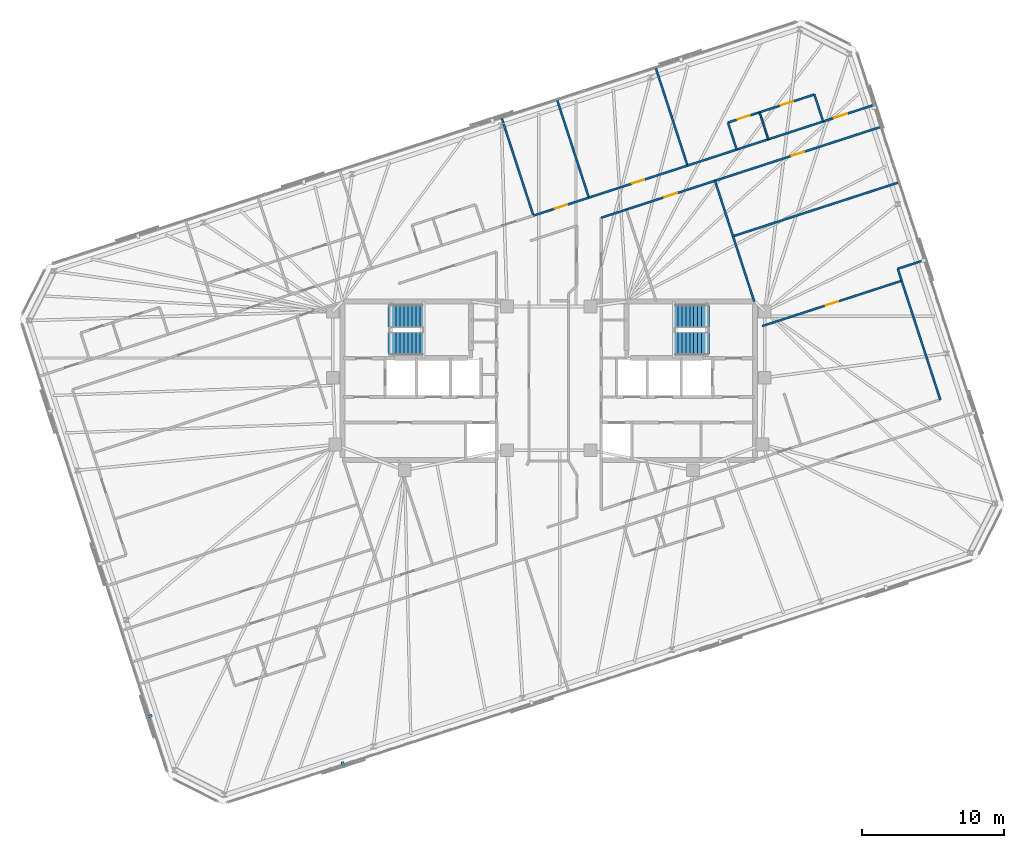
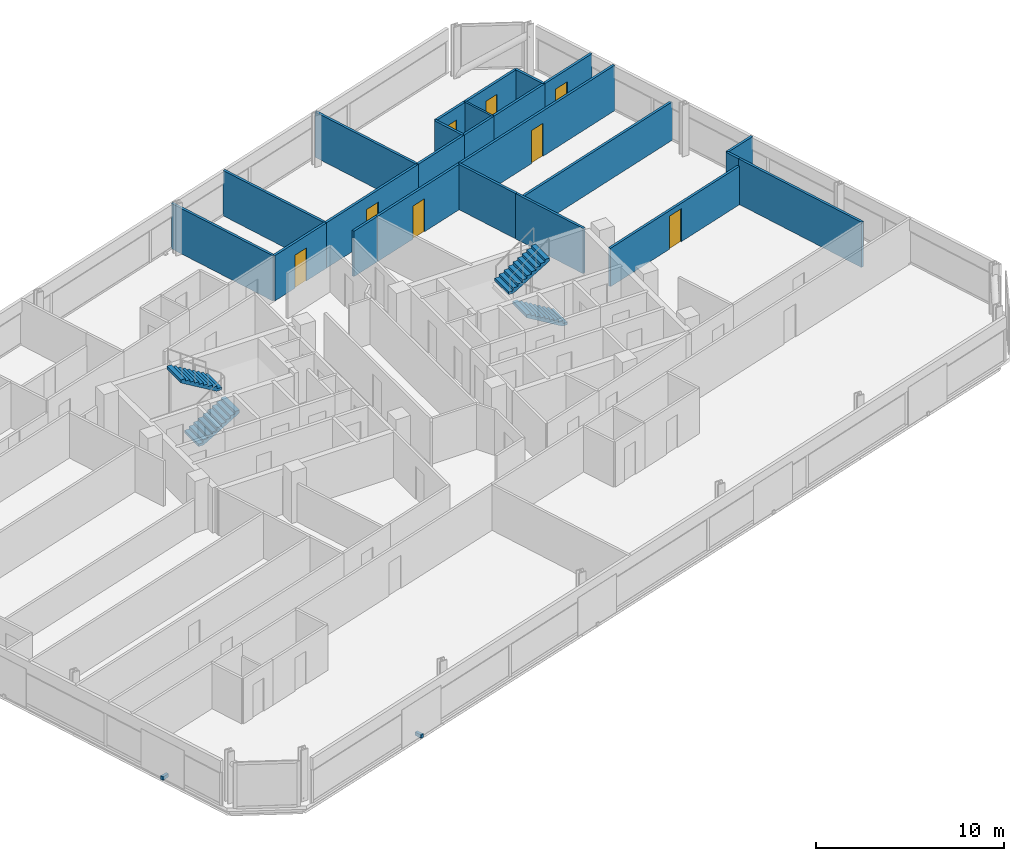
# One storey, part 17 of 19: 24 walls, 8 doors, 4 stair flights, 2 discrete accessories, 8 openings, 2 elements without a shape of their own.
"""IFC4 building model written with IfcOpenShell, lengths in metres."""

from ifc_helpers import new_model, si_unit, direction, frame, frame_2d, origin, origin_2d, place, context, subcontext, project, spatial, polyline, rectangle, outline, extrude, material, layer, layer_set, type_object, element, fill, aggregate, save


model = new_model("IFC4")

# Units and contexts
model_context = context("Model", 3, precision=1e-05, world=origin(), true_north=direction((0.0, 1.0)))
body_context = subcontext(model_context, "Body", "Model", "MODEL_VIEW")
ifc_project = project(units=[si_unit("LENGTHUNIT", "METRE"), si_unit("AREAUNIT", "SQUARE_METRE"), si_unit("VOLUMEUNIT", "CUBIC_METRE"), si_unit("PLANEANGLEUNIT", "RADIAN"), si_unit("MASSUNIT", "GRAM", prefix="KILO")], contexts=[model_context])

# Site, building, storey
site_placement = place(None, origin())
site = spatial("IfcSite", under=ifc_project, at=site_placement, CompositionType="ELEMENT")
building_placement = place(site_placement, origin())
building = spatial("IfcBuilding", under=site, at=building_placement, Name="Menara Jurai Vektor", CompositionType="ELEMENT")
storey_placement = place(building_placement, frame((0.0, 0.0, 251.10009765625)))
storey = spatial("IfcBuildingStorey", under=building, at=storey_placement, Name="L67", CompositionType="ELEMENT", Elevation=251.10009765625)

# Wall
ifc_material_1 = material(Name="Gypsum Fireboard Partition", Category="gypsum")
ifc_layer_1 = layer(ifc_material_1, 0.14990234375)
ifc_layer_set_1 = layer_set([ifc_layer_1], Name="Gypsum Fireboard Partition")
wall_type_1 = type_object("IfcWallType", Name="INT-WALL-CORR-150", PredefinedType="PARTITIONING", material=ifc_layer_set_1)
wall_1_placement = place(storey_placement, frame((9.790771484375, 15.1962890625, 0.0), z_axis=(0.0, 0.0, 1.0), x_axis=(0.951050780541, 0.309034646652, 0.0)))
element("IfcWall", 1, at=wall_1_placement, inside=storey, type_object=wall_type_1, Name="Interior Wall IW-150 L67", PredefinedType="PARTITIONING", context=body_context, shape_type="SweptSolid", body=[
    extrude(rectangle(XDim=3.64990234375, YDim=0.14990234375, at=frame_2d((1.824951171875, 0.0))), origin(), (0.0, 0.0, 1.0), 2.949951171875),
])

# Wall, opening, door
wall_2_placement = place(storey_placement, frame((19.367919921875, 18.30810546875, 0.0), z_axis=(0.0, 0.0, 1.0), x_axis=(0.951052151329, 0.309030428036, 0.0)))
wall_2 = element("IfcWall", 2, at=wall_2_placement, inside=storey, type_object=wall_type_1, Name="Interior Wall IW-150 L67", PredefinedType="PARTITIONING", context=body_context, shape_type="SweptSolid", body=[
    extrude(rectangle(XDim=3.77001953125, YDim=0.14990234375, at=frame_2d((1.885009765625, 0.0))), origin(), (0.0, 0.0, 1.0), 2.949951171875),
])
opening_1_placement = place(wall_2_placement, frame((0.844482421875, 0.0, 0.0)))
opening_1 = element("IfcOpeningElement", 3, at=opening_1_placement, cuts=wall_2, Name="Opening D67-16", PredefinedType="OPENING", context=body_context, shape_type="SweptSolid", body=[
    extrude(rectangle(XDim=0.949951171875, YDim=2.14990234375, at=frame_2d((0.47509765625, 1.074951171875))), frame((0.0, 0.0849609375, 0.0), z_axis=(0.0, -1.0, 0.0), x_axis=(1.0, 0.0, 0.0)), (0.0, 0.0, 1.0), 0.169921875),
])
ifc_material_2 = material(Name="Solid Core Timber Fire Door", Category="wood")
door_type_1 = type_object("IfcDoorType", Name="DR-ENTRY-950", OperationType="NOTDEFINED", PredefinedType="DOOR", material=ifc_material_2)
door_1_placement = place(opening_1_placement, origin())
door_1 = element("IfcDoor", 4, at=door_1_placement, inside=storey, type_object=door_type_1, Name="Interior Door D67-16", OperationType="SINGLE_SWING_RIGHT", OverallHeight=2.14990234375, OverallWidth=0.949951171875, PredefinedType="DOOR", context=body_context, shape_type="SweptSolid", body=[
    extrude(rectangle(XDim=0.949951171875, YDim=2.14990234375, at=frame_2d((0.47509765625, 1.074951171875))), frame((0.0, 0.02490234375, 0.0), z_axis=(0.0, -1.0, 0.0), x_axis=(1.0, 0.0, 0.0)), (0.0, 0.0, 1.0), 0.050048828125),
])
fill(opening_1, door_1)

# Walls
wall_3_placement = place(storey_placement, frame((13.261962890625, 16.32421875, 0.0), z_axis=(0.0, 0.0, 1.0), x_axis=(0.951045519245, 0.309050837767, 0.0)))
element("IfcWall", 5, at=wall_3_placement, inside=storey, type_object=wall_type_1, Name="Interior Wall IW-150 L67", PredefinedType="PARTITIONING", context=body_context, shape_type="SweptSolid", body=[
    extrude(rectangle(XDim=2.35009765625, YDim=0.14990234375, at=frame_2d((1.175048828125, 0.0))), origin(), (0.0, 0.0, 1.0), 2.949951171875),
])
wall_4_placement = place(storey_placement, frame((15.4970703125, 17.050537109375, 0.0), z_axis=(0.0, 0.0, 1.0), x_axis=(0.951067124726, 0.308984343076, 0.0)))
element("IfcWall", 6, at=wall_4_placement, inside=storey, type_object=wall_type_1, Name="Interior Wall IW-150 L67", PredefinedType="PARTITIONING", context=body_context, shape_type="SweptSolid", body=[
    extrude(rectangle(XDim=4.070068359375, YDim=0.14990234375, at=frame_2d((2.03515625, 0.0))), origin(), (0.0, 0.0, 1.0), 2.949951171875),
])
wall_5_placement = place(storey_placement, frame((3.699462890625, 11.513916015625, 0.0), z_axis=(0.0, 0.0, 1.0), x_axis=(0.951069540665, 0.308976906612, 0.0)))
element("IfcWall", 7, at=wall_5_placement, inside=storey, type_object=wall_type_1, Name="Interior Wall IW-150 L67", PredefinedType="PARTITIONING", context=body_context, shape_type="SweptSolid", body=[
    extrude(rectangle(XDim=1.87109375, YDim=0.14990234375, at=frame_2d((0.935546875, 0.0))), origin(), (0.0, 0.0, 1.0), 2.949951171875),
])

# Wall, opening, door
wall_6_placement = place(storey_placement, frame((5.47900390625, 12.092041015625, 0.0), z_axis=(0.0, 0.0, 1.0), x_axis=(0.951051809397, 0.309031480343, 0.0)))
wall_6 = element("IfcWall", 8, at=wall_6_placement, inside=storey, type_object=wall_type_1, Name="Interior Wall IW-150 L67", PredefinedType="PARTITIONING", context=body_context, shape_type="SweptSolid", body=[
    extrude(rectangle(XDim=6.572998046875, YDim=0.14990234375, at=frame_2d((3.28662109375, 0.0))), origin(), (0.0, 0.0, 1.0), 2.949951171875),
])
opening_2_placement = place(wall_6_placement, frame((2.826416015625, 0.0, 0.0)))
opening_2 = element("IfcOpeningElement", 9, at=opening_2_placement, cuts=wall_6, Name="Opening D67-39", PredefinedType="OPENING", context=body_context, shape_type="SweptSolid", body=[
    extrude(rectangle(XDim=0.919921875, YDim=2.14990234375, at=frame_2d((0.4599609375, 1.074951171875))), frame((0.0, 0.0849609375, 0.0), z_axis=(0.0, -1.0, 0.0), x_axis=(1.0, 0.0, 0.0)), (0.0, 0.0, 1.0), 0.169921875),
])
door_2_placement = place(opening_2_placement, origin())
door_2 = element("IfcDoor", 10, at=door_2_placement, inside=storey, type_object=door_type_1, Name="Interior Door D67-39", OperationType="SINGLE_SWING_LEFT", OverallHeight=2.14990234375, OverallWidth=0.919921875, PredefinedType="DOOR", context=body_context, shape_type="SweptSolid", body=[
    extrude(rectangle(XDim=0.919921875, YDim=2.14990234375, at=frame_2d((0.4599609375, 1.074951171875))), frame((0.0, 0.02490234375, 0.0), z_axis=(0.0, -1.0, 0.0), x_axis=(1.0, 0.0, 0.0)), (0.0, 0.0, 1.0), 0.050048828125),
])
fill(opening_2, door_2)

wall_7_placement = place(storey_placement, frame((-1.08935546875, 11.6611328125, 0.0), z_axis=(0.0, 0.0, 1.0), x_axis=(0.951057158344, 0.309015018346, 0.0)))
wall_7 = element("IfcWall", 11, at=wall_7_placement, inside=storey, type_object=wall_type_1, Name="Interior Wall IW-150 L67", PredefinedType="PARTITIONING", context=body_context, shape_type="SweptSolid", body=[
    extrude(rectangle(XDim=4.11767578125, YDim=0.14990234375, at=frame_2d((2.058837890625, 0.0))), origin(), (0.0, 0.0, 1.0), 2.949951171875),
])
opening_3_placement = place(wall_7_placement, frame((1.59912109375, 0.0, 0.0)))
opening_3 = element("IfcOpeningElement", 12, at=opening_3_placement, cuts=wall_7, Name="Opening D67-45", PredefinedType="OPENING", context=body_context, shape_type="SweptSolid", body=[
    extrude(rectangle(XDim=0.919921875, YDim=2.14990234375, at=frame_2d((0.4599609375, 1.074951171875))), frame((0.0, 0.0849609375, 0.0), z_axis=(0.0, -1.0, 0.0), x_axis=(1.0, 0.0, 0.0)), (0.0, 0.0, 1.0), 0.169921875),
])
door_3_placement = place(opening_3_placement, origin())
door_3 = element("IfcDoor", 13, at=door_3_placement, inside=storey, type_object=door_type_1, Name="Interior Door D67-45", OperationType="SINGLE_SWING_LEFT", OverallHeight=2.14990234375, OverallWidth=0.919921875, PredefinedType="DOOR", context=body_context, shape_type="SweptSolid", body=[
    extrude(rectangle(XDim=0.919921875, YDim=2.14990234375, at=frame_2d((0.4599609375, 1.074951171875))), frame((0.0, 0.02490234375, 0.0), z_axis=(0.0, -1.0, 0.0), x_axis=(1.0, 0.0, 0.0)), (0.0, 0.0, 1.0), 0.050048828125),
])
fill(opening_3, door_3)

wall_8_placement = place(storey_placement, frame((2.826904296875, 12.93359375, 0.0), z_axis=(0.0, 0.0, 1.0), x_axis=(0.951056608557, 0.309016710423, 0.0)))
wall_8 = element("IfcWall", 14, at=wall_8_placement, inside=storey, type_object=wall_type_1, Name="Interior Wall IW-150 L67", PredefinedType="PARTITIONING", context=body_context, shape_type="SweptSolid", body=[
    extrude(rectangle(XDim=7.322265625, YDim=0.14990234375, at=frame_2d((3.6611328125, 0.0))), origin(), (0.0, 0.0, 1.0), 2.949951171875),
])
opening_4_placement = place(wall_8_placement, frame((3.200927734375, 0.0, 0.0)))
opening_4 = element("IfcOpeningElement", 15, at=opening_4_placement, cuts=wall_8, Name="Opening D67-46", PredefinedType="OPENING", context=body_context, shape_type="SweptSolid", body=[
    extrude(rectangle(XDim=0.919921875, YDim=2.14990234375, at=frame_2d((0.4599609375, 1.074951171875))), frame((0.0, 0.0849609375, 0.0), z_axis=(0.0, -1.0, 0.0), x_axis=(1.0, 0.0, 0.0)), (0.0, 0.0, 1.0), 0.169921875),
])
door_4_placement = place(opening_4_placement, origin())
door_4 = element("IfcDoor", 16, at=door_4_placement, inside=storey, type_object=door_type_1, Name="Interior Door D67-46", OperationType="SINGLE_SWING_RIGHT", OverallHeight=2.14990234375, OverallWidth=0.919921875, PredefinedType="DOOR", context=body_context, shape_type="SweptSolid", body=[
    extrude(rectangle(XDim=0.919921875, YDim=2.14990234375, at=frame_2d((0.4599609375, 1.074951171875))), frame((0.0, 0.02490234375, 0.0), z_axis=(0.0, -1.0, 0.0), x_axis=(1.0, 0.0, 0.0)), (0.0, 0.0, 1.0), 0.050048828125),
])
fill(opening_4, door_4)

# Walls
wall_9_placement = place(storey_placement, frame((27.63671875, -1.331787109375, 0.0), z_axis=(0.0, 0.0, 1.0), x_axis=(-0.309040411618, 0.951048907253, 0.0)))
element("IfcWall", 17, at=wall_9_placement, inside=storey, type_object=wall_type_1, Name="Interior Wall IW-150 L67", PredefinedType="PARTITIONING", context=body_context, shape_type="SweptSolid", body=[
    extrude(rectangle(XDim=8.825927734375, YDim=0.14990234375, at=frame_2d((4.4130859375, 0.0))), origin(), (0.0, 0.0, 1.0), 2.949951171875),
])
wall_10_placement = place(storey_placement, frame((24.9091796875, 7.06201171875, 0.0), z_axis=(0.0, 0.0, 1.0), x_axis=(-0.30899324298, 0.951064233263, 0.0)))
element("IfcWall", 18, at=wall_10_placement, inside=storey, type_object=wall_type_1, Name="Interior Wall IW-150 L67", PredefinedType="PARTITIONING", context=body_context, shape_type="SweptSolid", body=[
    extrude(rectangle(XDim=0.89208984375, YDim=0.14990234375, at=frame_2d((0.446044921875, 0.0))), origin(), (0.0, 0.0, 1.0), 2.949951171875),
])
wall_11_placement = place(storey_placement, frame((24.633544921875, 7.910400390625, 0.0), z_axis=(0.0, 0.0, 1.0), x_axis=(0.951054051148, 0.309024581215, 0.0)))
element("IfcWall", 19, at=wall_11_placement, inside=storey, type_object=wall_type_1, Name="Interior Wall IW-150 L67", PredefinedType="PARTITIONING", context=body_context, shape_type="SweptSolid", body=[
    extrude(rectangle(XDim=1.97509765625, YDim=0.14990234375, at=frame_2d((0.987548828125, 0.0))), origin(), (0.0, 0.0, 1.0), 2.949951171875),
])

# Wall, opening, door
wall_12_placement = place(storey_placement, frame((11.730224609375, 14.123291015625, 0.0), z_axis=(0.0, 0.0, 1.0), x_axis=(0.951060263663, 0.309005460926, 0.0)))
wall_12 = element("IfcWall", 20, at=wall_12_placement, inside=storey, type_object=wall_type_1, Name="Interior Wall IW-150 L67", PredefinedType="PARTITIONING", context=body_context, shape_type="SweptSolid", body=[
    extrude(rectangle(XDim=12.326904296875, YDim=0.14990234375, at=frame_2d((6.16357421875, 0.0))), origin(), (0.0, 0.0, 1.0), 2.949951171875),
])
opening_5_placement = place(wall_12_placement, frame((5.70361328125, 0.0, 0.0)))
opening_5 = element("IfcOpeningElement", 21, at=opening_5_placement, cuts=wall_12, Name="Opening D67-49", PredefinedType="OPENING", context=body_context, shape_type="SweptSolid", body=[
    extrude(rectangle(XDim=0.919921875, YDim=2.14990234375, at=frame_2d((0.4599609375, 1.074951171875))), frame((0.0, 0.0849609375, 0.0), z_axis=(0.0, -1.0, 0.0), x_axis=(1.0, 0.0, 0.0)), (0.0, 0.0, 1.0), 0.169921875),
])
door_5_placement = place(opening_5_placement, origin())
door_5 = element("IfcDoor", 22, at=door_5_placement, inside=storey, type_object=door_type_1, Name="Interior Door D67-49", OperationType="SINGLE_SWING_LEFT", OverallHeight=2.14990234375, OverallWidth=0.919921875, PredefinedType="DOOR", context=body_context, shape_type="SweptSolid", body=[
    extrude(rectangle(XDim=0.919921875, YDim=2.14990234375, at=frame_2d((0.4599609375, 1.074951171875))), frame((0.0, 0.02490234375, 0.0), z_axis=(0.0, -1.0, 0.0), x_axis=(1.0, 0.0, 0.0)), (0.0, 0.0, 1.0), 0.050048828125),
])
fill(opening_5, door_5)

# Walls
wall_13_placement = place(storey_placement, frame((-1.08935546875, 11.6611328125, 0.0), z_axis=(0.0, 0.0, 1.0), x_axis=(-0.309029230739, 0.951052540372, 0.0)))
element("IfcWall", 23, at=wall_13_placement, inside=storey, type_object=wall_type_1, Name="Interior Wall IW-150 L67", PredefinedType="PARTITIONING", context=body_context, shape_type="SweptSolid", body=[
    extrude(rectangle(XDim=7.283935546875, YDim=0.14990234375, at=frame_2d((3.64208984375, 0.0))), origin(), (0.0, 0.0, 1.0), 2.949951171875),
])
wall_14_placement = place(storey_placement, frame((13.261962890625, 16.32421875, 0.0), z_axis=(0.0, 0.0, 1.0), x_axis=(-0.309022749039, 0.951054646472, 0.0)))
element("IfcWall", 24, at=wall_14_placement, inside=storey, type_object=wall_type_1, Name="Interior Wall IW-150 L67", PredefinedType="PARTITIONING", context=body_context, shape_type="SweptSolid", body=[
    extrude(rectangle(XDim=2.005126953125, YDim=0.14990234375, at=frame_2d((1.00244140625, 0.0))), origin(), (0.0, 0.0, 1.0), 2.949951171875),
])

# Wall, opening, door
wall_15_placement = place(storey_placement, frame((12.642333984375, 18.231201171875, 0.0), z_axis=(0.0, 0.0, 1.0), x_axis=(0.951076048914, 0.308956872689, 0.0)))
wall_15 = element("IfcWall", 25, at=wall_15_placement, inside=storey, type_object=wall_type_1, Name="Interior Wall IW-150 L67", PredefinedType="PARTITIONING", context=body_context, shape_type="SweptSolid", body=[
    extrude(rectangle(XDim=2.35009765625, YDim=0.14990234375, at=frame_2d((1.175048828125, 0.0))), origin(), (0.0, 0.0, 1.0), 2.949951171875),
])
opening_6_placement = place(wall_15_placement, frame((0.735107421875, 0.0, 0.0)))
opening_6 = element("IfcOpeningElement", 26, at=opening_6_placement, cuts=wall_15, Name="Opening D67-17", PredefinedType="OPENING", context=body_context, shape_type="SweptSolid", body=[
    extrude(rectangle(XDim=0.8798828125, YDim=2.14990234375, at=frame_2d((0.43994140625, 1.074951171875))), frame((0.0, 0.0849609375, 0.0), z_axis=(0.0, -1.0, 0.0), x_axis=(1.0, 0.0, 0.0)), (0.0, 0.0, 1.0), 0.169921875),
])
ifc_material_3 = material(Name="Moisture-Resistant Timber Door", Category="wood")
door_type_2 = type_object("IfcDoorType", Name="DR-BATH-880", OperationType="NOTDEFINED", PredefinedType="DOOR", material=ifc_material_3)
door_6_placement = place(opening_6_placement, origin())
door_6 = element("IfcDoor", 27, at=door_6_placement, inside=storey, type_object=door_type_2, Name="Interior Door D67-17", OperationType="SINGLE_SWING_LEFT", OverallHeight=2.14990234375, OverallWidth=0.8798828125, PredefinedType="DOOR", context=body_context, shape_type="SweptSolid", body=[
    extrude(rectangle(XDim=0.8798828125, YDim=2.14990234375, at=frame_2d((0.43994140625, 1.074951171875))), frame((0.0, 0.02490234375, 0.0), z_axis=(0.0, -1.0, 0.0), x_axis=(1.0, 0.0, 0.0)), (0.0, 0.0, 1.0), 0.050048828125),
])
fill(opening_6, door_6)

wall_16_placement = place(storey_placement, frame((14.87744140625, 18.957275390625, 0.0), z_axis=(0.0, 0.0, 1.0), x_axis=(0.95104949593, 0.309038600002, 0.0)))
wall_16 = element("IfcWall", 28, at=wall_16_placement, inside=storey, type_object=wall_type_1, Name="Interior Wall IW-150 L67", PredefinedType="PARTITIONING", context=body_context, shape_type="SweptSolid", body=[
    extrude(rectangle(XDim=4.070068359375, YDim=0.14990234375, at=frame_2d((2.03515625, 0.0))), origin(), (0.0, 0.0, 1.0), 2.949951171875),
])
opening_7_placement = place(wall_16_placement, frame((1.5849609375, 0.0, 0.0)))
opening_7 = element("IfcOpeningElement", 29, at=opening_7_placement, cuts=wall_16, Name="Opening D67-18", PredefinedType="OPENING", context=body_context, shape_type="SweptSolid", body=[
    extrude(rectangle(XDim=0.89990234375, YDim=2.14990234375, at=frame_2d((0.449951171875, 1.074951171875))), frame((0.0, 0.0849609375, 0.0), z_axis=(0.0, -1.0, 0.0), x_axis=(1.0, 0.0, 0.0)), (0.0, 0.0, 1.0), 0.169921875),
])
ifc_material_4 = material(Name="Acoustic Timber Interior Door", Category="wood")
door_type_3 = type_object("IfcDoorType", Name="DR-ROOM-900", OperationType="NOTDEFINED", PredefinedType="DOOR", material=ifc_material_4)
door_7_placement = place(opening_7_placement, origin())
door_7 = element("IfcDoor", 30, at=door_7_placement, inside=storey, type_object=door_type_3, Name="Interior Door D67-18", OperationType="SINGLE_SWING_RIGHT", OverallHeight=2.14990234375, OverallWidth=0.89990234375, PredefinedType="DOOR", context=body_context, shape_type="SweptSolid", body=[
    extrude(rectangle(XDim=0.89990234375, YDim=2.14990234375, at=frame_2d((0.449951171875, 1.074951171875))), frame((0.0, 0.02490234375, 0.0), z_axis=(0.0, -1.0, 0.0), x_axis=(1.0, 0.0, 0.0)), (0.0, 0.0, 1.0), 0.050048828125),
])
fill(opening_7, door_7)

# Walls
wall_17_placement = place(storey_placement, frame((19.367919921875, 18.30810546875, 0.0), z_axis=(0.0, 0.0, 1.0), x_axis=(-0.309022749039, 0.951054646472, 0.0)))
element("IfcWall", 31, at=wall_17_placement, inside=storey, type_object=wall_type_1, Name="Interior Wall IW-150 L67", PredefinedType="PARTITIONING", context=body_context, shape_type="SweptSolid", body=[
    extrude(rectangle(XDim=2.005126953125, YDim=0.14990234375, at=frame_2d((1.00244140625, 0.0))), origin(), (0.0, 0.0, 1.0), 2.949951171875),
])
wall_18_placement = place(storey_placement, frame((9.790771484375, 15.1962890625, 0.0), z_axis=(0.0, 0.0, 1.0), x_axis=(-0.309029230739, 0.951052540372, 0.0)))
element("IfcWall", 32, at=wall_18_placement, inside=storey, type_object=wall_type_1, Name="Interior Wall IW-150 L67", PredefinedType="PARTITIONING", context=body_context, shape_type="SweptSolid", body=[
    extrude(rectangle(XDim=7.283935546875, YDim=0.14990234375, at=frame_2d((3.64208984375, 0.0))), origin(), (0.0, 0.0, 1.0), 2.949951171875),
])
wall_19_placement = place(storey_placement, frame((14.49951171875, 5.599853515625, 0.0), z_axis=(0.0, 0.0, 1.0), x_axis=(-0.308974360462, 0.951070367837, 0.0)))
element("IfcWall", 33, at=wall_19_placement, inside=storey, type_object=wall_type_1, Name="Interior Wall IW-150 L67", PredefinedType="PARTITIONING", context=body_context, shape_type="SweptSolid", body=[
    extrude(rectangle(XDim=4.843017578125, YDim=0.14990234375, at=frame_2d((2.42138671875, 0.0))), origin(), (0.0, 0.0, 1.0), 2.949951171875),
])
wall_20_placement = place(storey_placement, frame((13.003173828125, 10.205810546875, 0.0), z_axis=(0.0, 0.0, 1.0), x_axis=(-0.309035144366, 0.951050618814, 0.0)))
element("IfcWall", 34, at=wall_20_placement, inside=storey, type_object=wall_type_1, Name="Interior Wall IW-150 L67", PredefinedType="PARTITIONING", context=body_context, shape_type="SweptSolid", body=[
    extrude(rectangle(XDim=4.119140625, YDim=0.14990234375, at=frame_2d((2.0595703125, 0.0))), origin(), (0.0, 0.0, 1.0), 2.949951171875),
])
wall_21_placement = place(storey_placement, frame((2.826904296875, 12.93359375, 0.0), z_axis=(0.0, 0.0, 1.0), x_axis=(-0.308998913866, 0.951062390819, 0.0)))
element("IfcWall", 35, at=wall_21_placement, inside=storey, type_object=wall_type_1, Name="Interior Wall IW-150 L67", PredefinedType="PARTITIONING", context=body_context, shape_type="SweptSolid", body=[
    extrude(rectangle(XDim=7.283935546875, YDim=0.14990234375, at=frame_2d((3.64208984375, 0.0))), origin(), (0.0, 0.0, 1.0), 2.949951171875),
])

# Wall, opening, door
ifc_layer_2 = layer(ifc_material_1, 0.14990234375)
ifc_layer_set_2 = layer_set([ifc_layer_2], Name="Gypsum Fireboard Partition")
wall_type_2 = type_object("IfcWallType", Name="INT-WALL-CORR-150-H1", PredefinedType="PARTITIONING", material=ifc_layer_set_2)
wall_22_placement = place(storey_placement, frame((15.06396484375, 3.86328125, 0.0), z_axis=(0.0, 0.0, 1.0), x_axis=(0.951061448945, 0.309001812827, 0.0)))
wall_22 = element("IfcWall", 36, at=wall_22_placement, inside=storey, type_object=wall_type_2, Name="Interior Wall IW-150 L67", PredefinedType="PARTITIONING", context=body_context, shape_type="SweptSolid", body=[
    extrude(rectangle(XDim=10.351806640625, YDim=0.14990234375, at=frame_2d((5.17578125, 0.0))), origin(), (0.0, 0.0, 1.0), 2.5),
])
opening_8_placement = place(wall_22_placement, frame((4.716064453125, 0.0, 0.0)))
opening_8 = element("IfcOpeningElement", 37, at=opening_8_placement, cuts=wall_22, Name="Opening D67-48", PredefinedType="OPENING", context=body_context, shape_type="SweptSolid", body=[
    extrude(rectangle(XDim=0.919921875, YDim=2.14990234375, at=frame_2d((0.4599609375, 1.074951171875))), frame((0.0, 0.0849609375, 0.0), z_axis=(0.0, -1.0, 0.0), x_axis=(1.0, 0.0, 0.0)), (0.0, 0.0, 1.0), 0.169921875),
])
door_8_placement = place(opening_8_placement, origin())
door_8 = element("IfcDoor", 38, at=door_8_placement, inside=storey, type_object=door_type_1, Name="Interior Door D67-48", OperationType="SINGLE_SWING_RIGHT", OverallHeight=2.14990234375, OverallWidth=0.919921875, PredefinedType="DOOR", context=body_context, shape_type="SweptSolid", body=[
    extrude(rectangle(XDim=0.919921875, YDim=2.14990234375, at=frame_2d((0.4599609375, 1.074951171875))), frame((0.0, 0.02490234375, 0.0), z_axis=(0.0, -1.0, 0.0), x_axis=(1.0, 0.0, 0.0)), (0.0, 0.0, 1.0), 0.050048828125),
])
fill(opening_8, door_8)

# Walls
wall_23_placement = place(storey_placement, frame((13.003173828125, 10.205810546875, 0.0), z_axis=(0.0, 0.0, 1.0), x_axis=(0.951060263663, 0.309005460926, 0.0)))
element("IfcWall", 39, at=wall_23_placement, inside=storey, type_object=wall_type_2, Name="Interior Wall IW-150 L67", PredefinedType="PARTITIONING", context=body_context, shape_type="SweptSolid", body=[
    extrude(rectangle(XDim=12.326904296875, YDim=0.14990234375, at=frame_2d((6.16357421875, 0.0))), origin(), (0.0, 0.0, 1.0), 2.5),
])
ifc_material_5 = material(Name="Gypsum Acoustic Stud Partition", Category="gypsum")
ifc_layer_3 = layer(ifc_material_5, 0.1201171875)
ifc_layer_set_3 = layer_set([ifc_layer_3], Name="Gypsum Acoustic Stud Partition")
wall_type_3 = type_object("IfcWallType", Name="INT-WALL-PART-120", PredefinedType="PARTITIONING", material=ifc_layer_set_3)
wall_24_placement = place(storey_placement, frame((15.4970703125, 17.050537109375, 0.0), z_axis=(0.0, 0.0, 1.0), x_axis=(-0.309058537449, 0.951043017129, 0.0)))
element("IfcWall", 40, at=wall_24_placement, inside=storey, type_object=wall_type_3, Name="Interior Wall IW-120 L67", PredefinedType="PARTITIONING", context=body_context, shape_type="SweptSolid", body=[
    extrude(rectangle(XDim=2.0048828125, YDim=0.1201171875, at=frame_2d((1.00244140625, 0.0))), origin(), (0.0, 0.0, 1.0), 2.949951171875),
])

# Stair, stair flights
ifc_material_6 = material(Name="Concrete C40/50", Category="concrete")
stair_type = type_object("IfcStairType", Name="STAIR-DOGLEG-1500", PredefinedType="HALF_TURN_STAIR", material=ifc_material_6)
stair_1_placement = place(storey_placement, origin())
stair_1 = element("IfcStair", 41, at=stair_1_placement, inside=storey, type_object=stair_type, Name="Protected Exit Stair ST1 L67", PredefinedType="HALF_TURN_STAIR")
stair_flight_type = type_object("IfcStairFlightType", Name="STAIR-FLIGHT-1500", PredefinedType="STRAIGHT", material=ifc_material_6)
stair_flight_1_placement = place(storey_placement, frame((-11.35009765625, 2.64990234375, 0.0), z_axis=(0.0, 0.0, 1.0), x_axis=(1.0, 0.0, 0.0)))
stair_flight_1 = element("IfcStairFlight", 42, at=stair_flight_1_placement, type_object=stair_flight_type, Name="ST1 flight 1", NumberOfRisers=10, NumberOfTreads=9, PredefinedType="STRAIGHT", RiserHeight=0.1675, TreadLength=0.28, context=body_context, shape_type="SweptSolid", body=[
    extrude(outline(polyline([(0.0, 0.0), (0.0, 0.16748046875), (0.280029296875, 0.16748046875), (0.280029296875, 0.3349609375), (0.56005859375, 0.3349609375), (0.56005859375, 0.50244140625), (0.840087890625, 0.50244140625), (0.840087890625, 0.669921875), (1.1201171875, 0.669921875), (1.1201171875, 0.83740234375), (1.39990234375, 0.83740234375), (1.39990234375, 1.0048828125), (1.679931640625, 1.0048828125), (1.679931640625, 1.172607421875), (1.9599609375, 1.172607421875), (1.9599609375, 1.340087890625), (2.239990234375, 1.340087890625), (2.239990234375, 1.507568359375), (2.52001953125, 1.507568359375), (2.52001953125, 1.675048828125), (2.52001953125, 1.321044921875), (0.3115234375, 0.0), (0.0, 0.0)])), frame((0.0, 0.75, 0.0), z_axis=(0.0, -1.0, 0.0), x_axis=(1.0, 0.0, 0.0)), (0.0, 0.0, 1.0), 1.5),
])
stair_flight_2_placement = place(storey_placement, frame((-8.830078125, 4.550048828125, 1.6748046875), z_axis=(0.0, 0.0, 1.0), x_axis=(-1.0, 0.0, 0.0)))
stair_flight_2 = element("IfcStairFlight", 43, at=stair_flight_2_placement, type_object=stair_flight_type, Name="ST1 flight 2", NumberOfRisers=10, NumberOfTreads=9, PredefinedType="STRAIGHT", RiserHeight=0.1675, TreadLength=0.28, context=body_context, shape_type="SweptSolid", body=[
    extrude(outline(polyline([(0.0, 0.0), (0.0, 0.16748046875), (0.280029296875, 0.16748046875), (0.280029296875, 0.3349609375), (0.56005859375, 0.3349609375), (0.56005859375, 0.50244140625), (0.840087890625, 0.50244140625), (0.840087890625, 0.669921875), (1.1201171875, 0.669921875), (1.1201171875, 0.83740234375), (1.39990234375, 0.83740234375), (1.39990234375, 1.0048828125), (1.679931640625, 1.0048828125), (1.679931640625, 1.172607421875), (1.9599609375, 1.172607421875), (1.9599609375, 1.340087890625), (2.239990234375, 1.340087890625), (2.239990234375, 1.507568359375), (2.52001953125, 1.507568359375), (2.52001953125, 1.675048828125), (2.52001953125, 1.321044921875), (0.3115234375, 0.0), (0.0, 0.0)])), frame((0.0, 0.75, 0.0), z_axis=(0.0, -1.0, 0.0), x_axis=(1.0, 0.0, 0.0)), (0.0, 0.0, 1.0), 1.5),
])
aggregate(stair_1, [stair_flight_1, stair_flight_2])

stair_2_placement = place(storey_placement, origin())
stair_2 = element("IfcStair", 44, at=stair_2_placement, inside=storey, type_object=stair_type, Name="Protected Exit Stair ST2 L67", PredefinedType="HALF_TURN_STAIR")
stair_flight_3_placement = place(storey_placement, frame((11.35009765625, 2.64990234375, 0.0), z_axis=(0.0, 0.0, 1.0), x_axis=(-1.0, 0.0, 0.0)))
stair_flight_3 = element("IfcStairFlight", 45, at=stair_flight_3_placement, type_object=stair_flight_type, Name="ST2 flight 1", NumberOfRisers=10, NumberOfTreads=9, PredefinedType="STRAIGHT", RiserHeight=0.1675, TreadLength=0.28, context=body_context, shape_type="SweptSolid", body=[
    extrude(outline(polyline([(0.0, 0.0), (0.0, 0.16748046875), (0.280029296875, 0.16748046875), (0.280029296875, 0.3349609375), (0.56005859375, 0.3349609375), (0.56005859375, 0.50244140625), (0.840087890625, 0.50244140625), (0.840087890625, 0.669921875), (1.1201171875, 0.669921875), (1.1201171875, 0.83740234375), (1.39990234375, 0.83740234375), (1.39990234375, 1.0048828125), (1.679931640625, 1.0048828125), (1.679931640625, 1.172607421875), (1.9599609375, 1.172607421875), (1.9599609375, 1.340087890625), (2.239990234375, 1.340087890625), (2.239990234375, 1.507568359375), (2.52001953125, 1.507568359375), (2.52001953125, 1.675048828125), (2.52001953125, 1.321044921875), (0.3115234375, 0.0), (0.0, 0.0)])), frame((0.0, 0.75, 0.0), z_axis=(0.0, -1.0, 0.0), x_axis=(1.0, 0.0, 0.0)), (0.0, 0.0, 1.0), 1.5),
])
stair_flight_4_placement = place(storey_placement, frame((8.830078125, 4.550048828125, 1.6748046875), z_axis=(0.0, 0.0, 1.0), x_axis=(1.0, 0.0, 0.0)))
stair_flight_4 = element("IfcStairFlight", 46, at=stair_flight_4_placement, type_object=stair_flight_type, Name="ST2 flight 2", NumberOfRisers=10, NumberOfTreads=9, PredefinedType="STRAIGHT", RiserHeight=0.1675, TreadLength=0.28, context=body_context, shape_type="SweptSolid", body=[
    extrude(outline(polyline([(0.0, 0.0), (0.0, 0.16748046875), (0.280029296875, 0.16748046875), (0.280029296875, 0.3349609375), (0.56005859375, 0.3349609375), (0.56005859375, 0.50244140625), (0.840087890625, 0.50244140625), (0.840087890625, 0.669921875), (1.1201171875, 0.669921875), (1.1201171875, 0.83740234375), (1.39990234375, 0.83740234375), (1.39990234375, 1.0048828125), (1.679931640625, 1.0048828125), (1.679931640625, 1.172607421875), (1.9599609375, 1.172607421875), (1.9599609375, 1.340087890625), (2.239990234375, 1.340087890625), (2.239990234375, 1.507568359375), (2.52001953125, 1.507568359375), (2.52001953125, 1.675048828125), (2.52001953125, 1.321044921875), (0.3115234375, 0.0), (0.0, 0.0)])), frame((0.0, 0.75, 0.0), z_axis=(0.0, -1.0, 0.0), x_axis=(1.0, 0.0, 0.0)), (0.0, 0.0, 1.0), 1.5),
])
aggregate(stair_2, [stair_flight_3, stair_flight_4])

# Discrete accessories
ifc_material_7 = material(Name="Steel S355", Category="steel")
discrete_accessory_type = type_object("IfcDiscreteAccessoryType", Name="ENV-ACC-BRACKET", PredefinedType="BRACKET", material=ifc_material_7)
for number, where, z_axis, x_axis, name in (
    (47, (-14.524658203125, -27.1142578125, -0.1298828125), (0.0, 0.0, 1.0), (0.951056516295, 0.309016994375, 0.0), "Solar Screen Stand-Off Bracket L67-S01"),
    (48, (-28.222412109375, -23.693115234375, -0.1298828125), (0.0, 0.0, 1.0), (0.309016994375, -0.951056516295, 0.0), "Solar Screen Stand-Off Bracket L67-S14"),
):
    element("IfcDiscreteAccessory", number, at=place(storey_placement, frame(where, z_axis=z_axis, x_axis=x_axis)), inside=storey, type_object=discrete_accessory_type, Name=name, PredefinedType="BRACKET", context=body_context, shape_type="SweptSolid", body=[
        extrude(rectangle(XDim=0.179931640625, YDim=0.43994140625, at=origin_2d()), origin(), (0.0, 0.0, 1.0), 0.219970703125),
    ])

save(model, "model.ifc")
